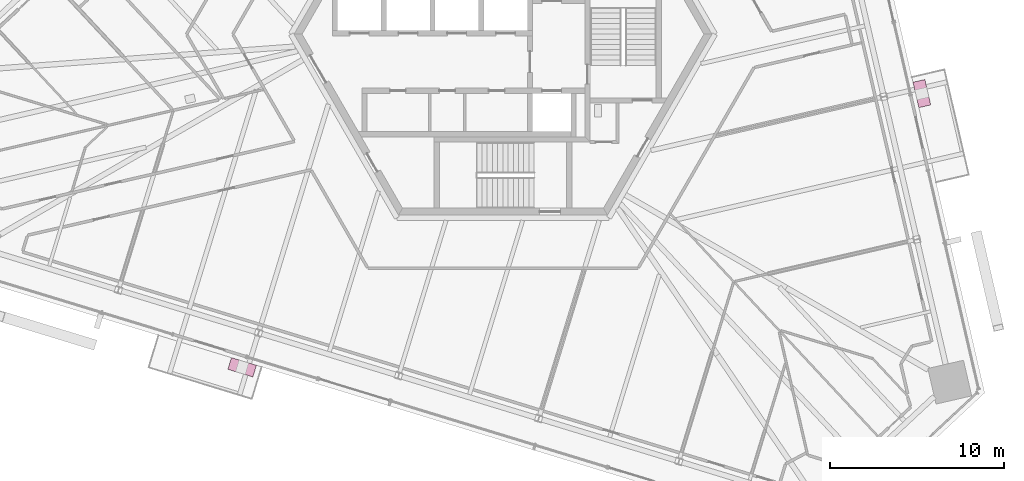
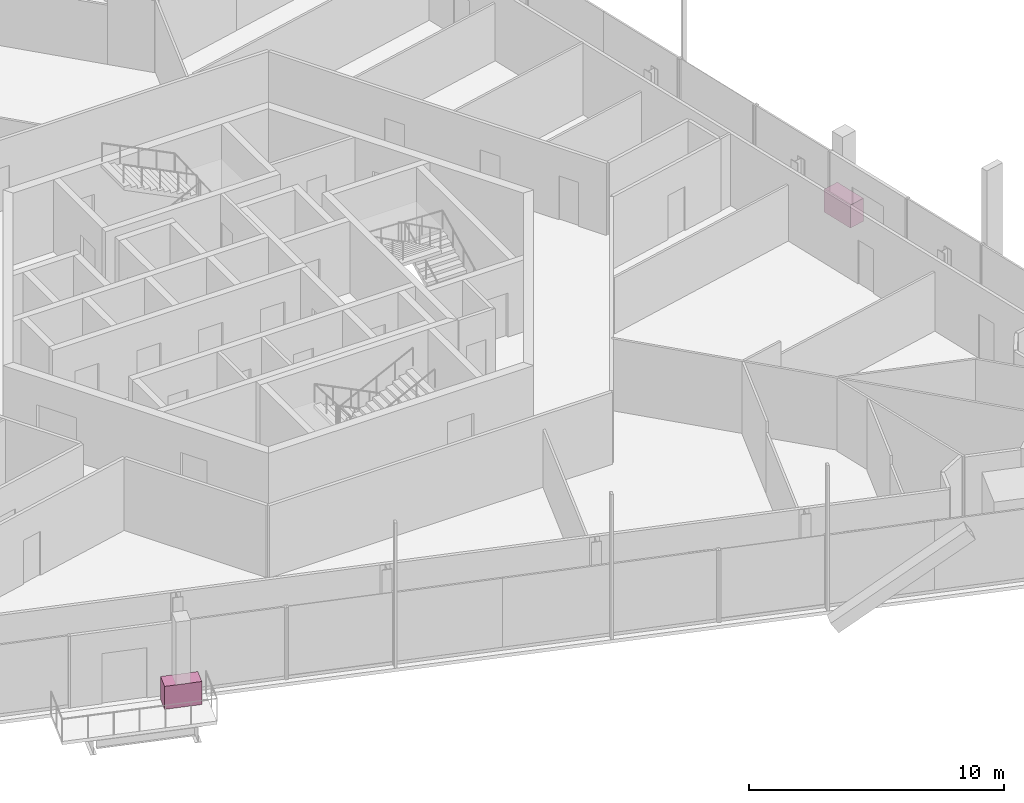
# One storey, part 23 of 24: 2 furniture elements.
"""IFC4 building model written with IfcOpenShell, lengths in metres."""

from ifc_helpers import new_model, si_unit, direction, frame, origin, origin_2d, place, context, subcontext, project, spatial, rectangle, extrude, source, transform, mapped, material, type_object, element, save


model = new_model("IFC4")

# Units and contexts
model_context = context("Model", 3, precision=1e-05, world=origin(), true_north=direction((0.0, 1.0)))
body_context = subcontext(model_context, "Body", "Model", "MODEL_VIEW")
ifc_project = project(units=[si_unit("LENGTHUNIT", "METRE"), si_unit("AREAUNIT", "SQUARE_METRE"), si_unit("VOLUMEUNIT", "CUBIC_METRE"), si_unit("PLANEANGLEUNIT", "RADIAN"), si_unit("MASSUNIT", "GRAM", prefix="KILO")], contexts=[model_context])

# Site, building, storey
site_placement = place(None, origin())
site = spatial("IfcSite", under=ifc_project, at=site_placement, CompositionType="ELEMENT")
building_placement = place(site_placement, origin())
building = spatial("IfcBuilding", under=site, at=building_placement, Name="Triune Harvest Tower", CompositionType="ELEMENT")
storey_placement = place(building_placement, frame((0.0, 0.0, 127.10009765625)))
storey = spatial("IfcBuildingStorey", under=building, at=storey_placement, Name="L32", CompositionType="ELEMENT", Elevation=127.10009765625)

# Furniture
ifc_material = material(Name="Concrete 40 MPa", Category="concrete")
furniture_type = type_object("IfcFurnitureType", Name="PB-1 structural planter", AssemblyPlace="SITE", PredefinedType="USERDEFINED", material=ifc_material)
shared_shape = source(origin(), body_context, "Body", "SweptSolid", [
    extrude(rectangle(XDim=1.5, YDim=0.699951171875, at=origin_2d()), origin(), (0.0, 0.0, 1.0), 1.10009765625),
])
for number, where, z_axis, x_axis, name in (
    (1, (24.0576171875, -3.408935546875, -0.000244140625), (0.0, 0.0, 1.0), (-0.22495121687, 0.974370027263, 0.0), "Planter B3-F1 L32.4b"),
    (2, (-14.981201171875, -19.1298828125, -0.000244140625), (0.0, 0.0, 1.0), (0.956304229664, -0.292373426164, 0.0), "Planter B3-F5 L32.4b"),
):
    element("IfcFurniture", number, at=place(storey_placement, frame(where, z_axis=z_axis, x_axis=x_axis)), inside=storey, type_object=furniture_type, Name=name, ObjectType="PLANTER", PredefinedType="USERDEFINED", context=body_context, shape_type="MappedRepresentation", body=[
        mapped(shared_shape, transform((0.0, 0.0, 0.0), scale=1.0)),
    ])

save(model, "model.ifc")
